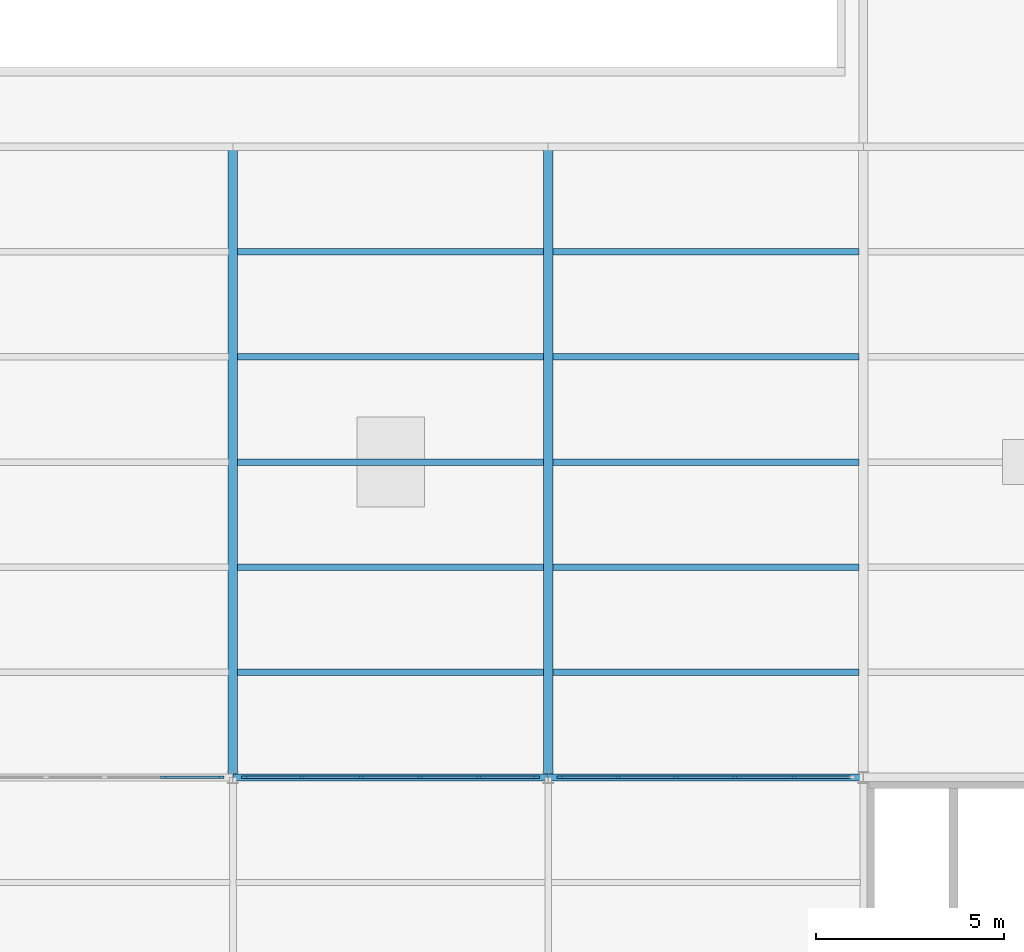
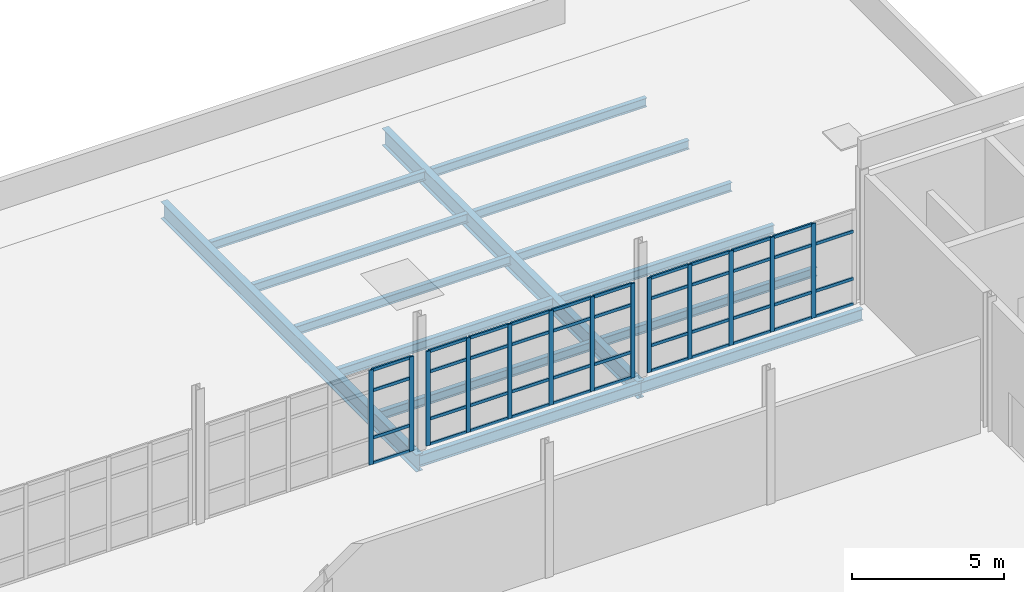
# One storey, part 21 of 33: 56 members, 14 beams, 3 elements without a shape of their own.
"""IFC4 building model written with IfcOpenShell, lengths in metres."""

from ifc_helpers import new_model, si_unit, direction, frame, origin, origin_2d, place, context, subcontext, project, spatial, rectangle, i_section, extrude, material, layer, layer_set, material_profile, profile_set, type_object, element, aggregate, save


model = new_model("IFC4")

# Units and contexts
model_context = context("Model", 3, precision=1e-05, world=origin(), true_north=direction((0.0, 1.0)))
body_context = subcontext(model_context, "Body", "Model", "MODEL_VIEW")
ifc_project = project(units=[si_unit("LENGTHUNIT", "METRE"), si_unit("AREAUNIT", "SQUARE_METRE"), si_unit("VOLUMEUNIT", "CUBIC_METRE"), si_unit("PLANEANGLEUNIT", "RADIAN"), si_unit("MASSUNIT", "GRAM", prefix="KILO"), si_unit("THERMODYNAMICTEMPERATUREUNIT", "KELVIN"), si_unit("POWERUNIT", "WATT")], contexts=[model_context])

# Site, building, storey
site_placement = place(None, origin())
site = spatial("IfcSite", under=ifc_project, at=site_placement, CompositionType="ELEMENT")
building_placement = place(site_placement, origin())
building = spatial("IfcBuilding", under=site, at=building_placement, Name="Tembeka Court Mobility Hub", CompositionType="ELEMENT")
storey_placement = place(building_placement, frame((0.0, 0.0, 23.39990234375)))
storey = spatial("IfcBuildingStorey", under=building, at=storey_placement, Name="L06", CompositionType="ELEMENT", Elevation=23.39990234375)

# Beams
ifc_material_1 = material(Name="Steel S355", Category="steel")
ifc_material_profile_1 = material_profile(ifc_material_1, i_section(OverallWidth=0.18994140625, OverallDepth=0.45703125, WebThickness=0.009033203125, FlangeThickness=0.014404296875, FilletRadius=0.01025390625, at=origin_2d()), Name="UKB 457x191x74")
ifc_profile_set_1 = profile_set([ifc_material_profile_1], Name="Steel S355")
beam_type_1 = type_object("IfcBeamType", Name="BM-B01", PredefinedType="BEAM", material=ifc_profile_set_1)
beam_1_placement = place(storey_placement, frame((67.199951171875, 80.39990234375, -0.478515625), z_axis=(1.0, 0.0, 0.0), x_axis=(0.0, 1.0, 0.0)))
element("IfcBeam", 1, at=beam_1_placement, inside=storey, type_object=beam_type_1, Name="Beam B01 (BM-L06-X3170)", PredefinedType="BEAM", context=body_context, shape_type="SweptSolid", body=[
    extrude(i_section(OverallWidth=0.18994140625, OverallDepth=0.45703125, WebThickness=0.009033203125, FlangeThickness=0.014404296875, FilletRadius=0.01025390625, at=origin_2d()), origin(), (0.0, 0.0, 1.0), 8.400146484375),
])
beam_2_placement = place(storey_placement, frame((75.60009765625, 80.39990234375, -0.478515625), z_axis=(1.0, 0.0, 0.0), x_axis=(0.0, 1.0, 0.0)))
element("IfcBeam", 2, at=beam_2_placement, inside=storey, type_object=beam_type_1, Name="Beam B01 (BM-L06-X3171)", PredefinedType="BEAM", context=body_context, shape_type="SweptSolid", body=[
    extrude(i_section(OverallWidth=0.18994140625, OverallDepth=0.45703125, WebThickness=0.009033203125, FlangeThickness=0.014404296875, FilletRadius=0.01025390625, at=origin_2d()), origin(), (0.0, 0.0, 1.0), 8.39990234375),
])
ifc_material_profile_2 = material_profile(ifc_material_1, i_section(OverallWidth=0.25390625, OverallDepth=0.68408203125, WebThickness=0.012451171875, FlangeThickness=0.01904296875, FilletRadius=0.01513671875, at=origin_2d()), Name="UKB 686x254x140")
ifc_profile_set_2 = profile_set([ifc_material_profile_2], Name="Steel S355")
beam_type_2 = type_object("IfcBeamType", Name="BM-G01", PredefinedType="USERDEFINED", material=ifc_profile_set_2)
for number, where, z_axis, x_axis, name in (
    (3, (67.199951171875, 80.39990234375, -0.591796875), (0.0, 1.0, 0.0), (-1.0, 0.0, 0.0), "Beam G01 (BM-L06-Y3267)"),
    (4, (75.60009765625, 80.39990234375, -0.591796875), (0.0, 1.0, 0.0), (-1.0, 0.0, 0.0), "Beam G01 (BM-L06-Y3274)"),
):
    element("IfcBeam", number, at=place(storey_placement, frame(where, z_axis=z_axis, x_axis=x_axis)), inside=storey, type_object=beam_type_2, Name=name, ObjectType="GIRDER", PredefinedType="USERDEFINED", context=body_context, shape_type="SweptSolid", body=[
        extrude(i_section(OverallWidth=0.25390625, OverallDepth=0.68408203125, WebThickness=0.012451171875, FlangeThickness=0.01904296875, FilletRadius=0.01513671875, at=origin_2d()), origin(), (0.0, 0.0, 1.0), 16.800048828125),
    ])
ifc_material_profile_3 = material_profile(ifc_material_1, i_section(OverallWidth=0.172119140625, OverallDepth=0.35498046875, WebThickness=0.00732421875, FlangeThickness=0.011474609375, FilletRadius=0.01025390625, at=origin_2d()), Name="UKB 356x171x51")
ifc_profile_set_3 = profile_set([ifc_material_profile_3], Name="Steel S355")
beam_type_3 = type_object("IfcBeamType", Name="BM-J01", PredefinedType="JOIST", material=ifc_profile_set_3)
for number, where, z_axis, x_axis, name in (
    (5, (67.322021484375, 83.199951171875, -0.407470703125), (1.0, 0.0, 0.0), (0.0, 1.0, 0.0), "Beam J01 (JST-L06-3456)"),
    (6, (67.322021484375, 86.0, -0.407470703125), (1.0, 0.0, 0.0), (0.0, 1.0, 0.0), "Beam J01 (JST-L06-3457)"),
    (7, (67.322021484375, 88.800048828125, -0.407470703125), (1.0, 0.0, 0.0), (0.0, 1.0, 0.0), "Beam J01 (JST-L06-3458)"),
    (8, (67.322021484375, 91.60009765625, -0.407470703125), (1.0, 0.0, 0.0), (0.0, 1.0, 0.0), "Beam J01 (JST-L06-3459)"),
    (9, (67.322021484375, 94.39990234375, -0.407470703125), (1.0, 0.0, 0.0), (0.0, 1.0, 0.0), "Beam J01 (JST-L06-3460)"),
    (10, (75.721923828125, 83.199951171875, -0.407470703125), (1.0, 0.0, 0.0), (0.0, 1.0, 0.0), "Beam J01 (JST-L06-3476)"),
    (11, (75.721923828125, 86.0, -0.407470703125), (1.0, 0.0, 0.0), (0.0, 1.0, 0.0), "Beam J01 (JST-L06-3477)"),
    (12, (75.721923828125, 88.800048828125, -0.407470703125), (1.0, 0.0, 0.0), (0.0, 1.0, 0.0), "Beam J01 (JST-L06-3478)"),
    (13, (75.721923828125, 91.60009765625, -0.407470703125), (1.0, 0.0, 0.0), (0.0, 1.0, 0.0), "Beam J01 (JST-L06-3479)"),
    (14, (75.721923828125, 94.39990234375, -0.407470703125), (1.0, 0.0, 0.0), (0.0, 1.0, 0.0), "Beam J01 (JST-L06-3480)"),
):
    element("IfcBeam", number, at=place(storey_placement, frame(where, z_axis=z_axis, x_axis=x_axis)), inside=storey, type_object=beam_type_3, Name=name, PredefinedType="JOIST", context=body_context, shape_type="SweptSolid", body=[
        extrude(i_section(OverallWidth=0.172119140625, OverallDepth=0.35498046875, WebThickness=0.00732421875, FlangeThickness=0.011474609375, FilletRadius=0.01025390625, at=origin_2d()), origin(), (0.0, 0.0, 1.0), 8.156005859375),
    ])

# Curtain wall, members
ifc_material_2 = material(Name="Anodised aluminium 6063-T6", Category="aluminium")
ifc_layer = layer(ifc_material_2, 0.159912109375)
ifc_layer_set = layer_set([ifc_layer], Name="Anodised aluminium 6063-T6")
curtain_wall_type = type_object("IfcCurtainWallType", Name="CW-SYS57", PredefinedType="USERDEFINED", material=ifc_layer_set)
curtain_wall_1_placement = place(storey_placement, origin())
curtain_wall_1 = element("IfcCurtainWall", 15, at=curtain_wall_1_placement, inside=storey, type_object=curtain_wall_type, Name="Unitised curtain wall CW57 (CW-L06-159)", ObjectType="UNITISED GLAZING", PredefinedType="USERDEFINED")
ifc_material_profile_4 = material_profile(ifc_material_2, rectangle(XDim=0.06494140625, YDim=0.159912109375, at=origin_2d()), Name="ALU-MUL 65x160")
ifc_profile_set_4 = profile_set([ifc_material_profile_4], Name="Anodised aluminium 6063-T6")
member_type_1 = type_object("IfcMemberType", Name="CW-MUL01", PredefinedType="MULLION", material=ifc_profile_set_4)
member_1_placement = place(storey_placement, frame((65.35205078125, 80.39990234375, 0.0), z_axis=(0.0, 0.0, 1.0), x_axis=(0.0, 1.0, 0.0)))
member_1 = element("IfcMember", 16, at=member_1_placement, type_object=member_type_1, Name="CW57 mullion 5", PredefinedType="MULLION", context=body_context, shape_type="SweptSolid", body=[
    extrude(rectangle(XDim=0.06494140625, YDim=0.159912109375, at=origin_2d()), origin(), (0.0, 0.0, 1.0), 3.795166015625),
])
member_2_placement = place(storey_placement, frame((66.887451171875, 80.39990234375, 0.0), z_axis=(0.0, 0.0, 1.0), x_axis=(0.0, 1.0, 0.0)))
member_2 = element("IfcMember", 17, at=member_2_placement, type_object=member_type_1, Name="CW57 mullion 6", PredefinedType="MULLION", context=body_context, shape_type="SweptSolid", body=[
    extrude(rectangle(XDim=0.06494140625, YDim=0.159912109375, at=origin_2d()), origin(), (0.0, 0.0, 1.0), 3.795166015625),
])

curtain_wall_2_placement = place(storey_placement, origin())
curtain_wall_2 = element("IfcCurtainWall", 18, at=curtain_wall_2_placement, inside=storey, type_object=curtain_wall_type, Name="Unitised curtain wall CW57 (CW-L06-161)", ObjectType="UNITISED GLAZING", PredefinedType="USERDEFINED")
member_3_placement = place(storey_placement, frame((67.512451171875, 80.39990234375, 0.0), z_axis=(0.0, 0.0, 1.0), x_axis=(0.0, 1.0, 0.0)))
member_3 = element("IfcMember", 19, at=member_3_placement, type_object=member_type_1, Name="CW57 mullion 1", PredefinedType="MULLION", context=body_context, shape_type="SweptSolid", body=[
    extrude(rectangle(XDim=0.06494140625, YDim=0.159912109375, at=origin_2d()), origin(), (0.0, 0.0, 1.0), 3.795166015625),
])
member_4_placement = place(storey_placement, frame((69.048095703125, 80.39990234375, 0.0), z_axis=(0.0, 0.0, 1.0), x_axis=(0.0, 1.0, 0.0)))
member_4 = element("IfcMember", 20, at=member_4_placement, type_object=member_type_1, Name="CW57 mullion 2", PredefinedType="MULLION", context=body_context, shape_type="SweptSolid", body=[
    extrude(rectangle(XDim=0.06494140625, YDim=0.159912109375, at=origin_2d()), origin(), (0.0, 0.0, 1.0), 3.795166015625),
])
member_5_placement = place(storey_placement, frame((70.615966796875, 80.39990234375, 0.0), z_axis=(0.0, 0.0, 1.0), x_axis=(0.0, 1.0, 0.0)))
member_5 = element("IfcMember", 21, at=member_5_placement, type_object=member_type_1, Name="CW57 mullion 3", PredefinedType="MULLION", context=body_context, shape_type="SweptSolid", body=[
    extrude(rectangle(XDim=0.06494140625, YDim=0.159912109375, at=origin_2d()), origin(), (0.0, 0.0, 1.0), 3.795166015625),
])
member_6_placement = place(storey_placement, frame((72.18408203125, 80.39990234375, 0.0), z_axis=(0.0, 0.0, 1.0), x_axis=(0.0, 1.0, 0.0)))
member_6 = element("IfcMember", 22, at=member_6_placement, type_object=member_type_1, Name="CW57 mullion 4", PredefinedType="MULLION", context=body_context, shape_type="SweptSolid", body=[
    extrude(rectangle(XDim=0.06494140625, YDim=0.159912109375, at=origin_2d()), origin(), (0.0, 0.0, 1.0), 3.795166015625),
])
member_7_placement = place(storey_placement, frame((73.751953125, 80.39990234375, 0.0), z_axis=(0.0, 0.0, 1.0), x_axis=(0.0, 1.0, 0.0)))
member_7 = element("IfcMember", 23, at=member_7_placement, type_object=member_type_1, Name="CW57 mullion 5", PredefinedType="MULLION", context=body_context, shape_type="SweptSolid", body=[
    extrude(rectangle(XDim=0.06494140625, YDim=0.159912109375, at=origin_2d()), origin(), (0.0, 0.0, 1.0), 3.795166015625),
])
member_8_placement = place(storey_placement, frame((75.28759765625, 80.39990234375, 0.0), z_axis=(0.0, 0.0, 1.0), x_axis=(0.0, 1.0, 0.0)))
member_8 = element("IfcMember", 24, at=member_8_placement, type_object=member_type_1, Name="CW57 mullion 6", PredefinedType="MULLION", context=body_context, shape_type="SweptSolid", body=[
    extrude(rectangle(XDim=0.06494140625, YDim=0.159912109375, at=origin_2d()), origin(), (0.0, 0.0, 1.0), 3.795166015625),
])

curtain_wall_3_placement = place(storey_placement, origin())
curtain_wall_3 = element("IfcCurtainWall", 25, at=curtain_wall_3_placement, inside=storey, type_object=curtain_wall_type, Name="Unitised curtain wall CW57 (CW-L06-163)", ObjectType="UNITISED GLAZING", PredefinedType="USERDEFINED")
member_9_placement = place(storey_placement, frame((75.91259765625, 80.39990234375, 0.0), z_axis=(0.0, 0.0, 1.0), x_axis=(0.0, 1.0, 0.0)))
member_9 = element("IfcMember", 26, at=member_9_placement, type_object=member_type_1, Name="CW57 mullion 1", PredefinedType="MULLION", context=body_context, shape_type="SweptSolid", body=[
    extrude(rectangle(XDim=0.06494140625, YDim=0.159912109375, at=origin_2d()), origin(), (0.0, 0.0, 1.0), 3.795166015625),
])
member_10_placement = place(storey_placement, frame((77.447998046875, 80.39990234375, 0.0), z_axis=(0.0, 0.0, 1.0), x_axis=(0.0, 1.0, 0.0)))
member_10 = element("IfcMember", 27, at=member_10_placement, type_object=member_type_1, Name="CW57 mullion 2", PredefinedType="MULLION", context=body_context, shape_type="SweptSolid", body=[
    extrude(rectangle(XDim=0.06494140625, YDim=0.159912109375, at=origin_2d()), origin(), (0.0, 0.0, 1.0), 3.795166015625),
])
member_11_placement = place(storey_placement, frame((79.01611328125, 80.39990234375, 0.0), z_axis=(0.0, 0.0, 1.0), x_axis=(0.0, 1.0, 0.0)))
member_11 = element("IfcMember", 28, at=member_11_placement, type_object=member_type_1, Name="CW57 mullion 3", PredefinedType="MULLION", context=body_context, shape_type="SweptSolid", body=[
    extrude(rectangle(XDim=0.06494140625, YDim=0.159912109375, at=origin_2d()), origin(), (0.0, 0.0, 1.0), 3.795166015625),
])
member_12_placement = place(storey_placement, frame((80.583984375, 80.39990234375, 0.0), z_axis=(0.0, 0.0, 1.0), x_axis=(0.0, 1.0, 0.0)))
member_12 = element("IfcMember", 29, at=member_12_placement, type_object=member_type_1, Name="CW57 mullion 4", PredefinedType="MULLION", context=body_context, shape_type="SweptSolid", body=[
    extrude(rectangle(XDim=0.06494140625, YDim=0.159912109375, at=origin_2d()), origin(), (0.0, 0.0, 1.0), 3.795166015625),
])
member_13_placement = place(storey_placement, frame((82.152099609375, 80.39990234375, 0.0), z_axis=(0.0, 0.0, 1.0), x_axis=(0.0, 1.0, 0.0)))
member_13 = element("IfcMember", 30, at=member_13_placement, type_object=member_type_1, Name="CW57 mullion 5", PredefinedType="MULLION", context=body_context, shape_type="SweptSolid", body=[
    extrude(rectangle(XDim=0.06494140625, YDim=0.159912109375, at=origin_2d()), origin(), (0.0, 0.0, 1.0), 3.795166015625),
])

# Member
ifc_material_profile_5 = material_profile(ifc_material_2, rectangle(XDim=0.06494140625, YDim=0.1201171875, at=origin_2d()), Name="ALU-TRN 65x120")
ifc_profile_set_5 = profile_set([ifc_material_profile_5], Name="Anodised aluminium 6063-T6")
member_type_2 = type_object("IfcMemberType", Name="CW-TRN01", PredefinedType="USERDEFINED", material=ifc_profile_set_5)
member_14_placement = place(storey_placement, frame((65.384521484375, 80.39990234375, 0.03271484375), z_axis=(1.0, 0.0, 0.0), x_axis=(0.0, 1.0, 0.0)))
member_14 = element("IfcMember", 31, at=member_14_placement, type_object=member_type_2, Name="CW57 transom 5.1", ObjectType="TRANSOM", PredefinedType="USERDEFINED", context=body_context, shape_type="SweptSolid", body=[
    extrude(rectangle(XDim=0.06494140625, YDim=0.1201171875, at=origin_2d()), origin(), (0.0, 0.0, 1.0), 1.470458984375),
])

member_15_placement = place(storey_placement, frame((65.384521484375, 80.39990234375, 1.050048828125), z_axis=(1.0, 0.0, 0.0), x_axis=(0.0, 1.0, 0.0)))
member_15 = element("IfcMember", 32, at=member_15_placement, type_object=member_type_2, Name="CW57 transom 5.2", ObjectType="TRANSOM", PredefinedType="USERDEFINED", context=body_context, shape_type="SweptSolid", body=[
    extrude(rectangle(XDim=0.06494140625, YDim=0.1201171875, at=origin_2d()), origin(), (0.0, 0.0, 1.0), 1.470458984375),
])

member_16_placement = place(storey_placement, frame((65.384521484375, 80.39990234375, 2.945068359375), z_axis=(1.0, 0.0, 0.0), x_axis=(0.0, 1.0, 0.0)))
member_16 = element("IfcMember", 33, at=member_16_placement, type_object=member_type_2, Name="CW57 transom 5.3", ObjectType="TRANSOM", PredefinedType="USERDEFINED", context=body_context, shape_type="SweptSolid", body=[
    extrude(rectangle(XDim=0.06494140625, YDim=0.1201171875, at=origin_2d()), origin(), (0.0, 0.0, 1.0), 1.470458984375),
])

member_17_placement = place(storey_placement, frame((65.384521484375, 80.39990234375, 3.7626953125), z_axis=(1.0, 0.0, 0.0), x_axis=(0.0, 1.0, 0.0)))
member_17 = element("IfcMember", 34, at=member_17_placement, type_object=member_type_2, Name="CW57 transom 5.4", ObjectType="TRANSOM", PredefinedType="USERDEFINED", context=body_context, shape_type="SweptSolid", body=[
    extrude(rectangle(XDim=0.06494140625, YDim=0.1201171875, at=origin_2d()), origin(), (0.0, 0.0, 1.0), 1.470458984375),
])

aggregate(curtain_wall_1, [member_1, member_2, member_14, member_15, member_16, member_17])

member_18_placement = place(storey_placement, frame((67.544921875, 80.39990234375, 0.03271484375), z_axis=(1.0, 0.0, 0.0), x_axis=(0.0, 1.0, 0.0)))
member_18 = element("IfcMember", 35, at=member_18_placement, type_object=member_type_2, Name="CW57 transom 1.1", ObjectType="TRANSOM", PredefinedType="USERDEFINED", context=body_context, shape_type="SweptSolid", body=[
    extrude(rectangle(XDim=0.06494140625, YDim=0.1201171875, at=origin_2d()), origin(), (0.0, 0.0, 1.0), 1.470458984375),
])

member_19_placement = place(storey_placement, frame((67.544921875, 80.39990234375, 1.050048828125), z_axis=(1.0, 0.0, 0.0), x_axis=(0.0, 1.0, 0.0)))
member_19 = element("IfcMember", 36, at=member_19_placement, type_object=member_type_2, Name="CW57 transom 1.2", ObjectType="TRANSOM", PredefinedType="USERDEFINED", context=body_context, shape_type="SweptSolid", body=[
    extrude(rectangle(XDim=0.06494140625, YDim=0.1201171875, at=origin_2d()), origin(), (0.0, 0.0, 1.0), 1.470458984375),
])

member_20_placement = place(storey_placement, frame((67.544921875, 80.39990234375, 2.945068359375), z_axis=(1.0, 0.0, 0.0), x_axis=(0.0, 1.0, 0.0)))
member_20 = element("IfcMember", 37, at=member_20_placement, type_object=member_type_2, Name="CW57 transom 1.3", ObjectType="TRANSOM", PredefinedType="USERDEFINED", context=body_context, shape_type="SweptSolid", body=[
    extrude(rectangle(XDim=0.06494140625, YDim=0.1201171875, at=origin_2d()), origin(), (0.0, 0.0, 1.0), 1.470458984375),
])

member_21_placement = place(storey_placement, frame((67.544921875, 80.39990234375, 3.7626953125), z_axis=(1.0, 0.0, 0.0), x_axis=(0.0, 1.0, 0.0)))
member_21 = element("IfcMember", 38, at=member_21_placement, type_object=member_type_2, Name="CW57 transom 1.4", ObjectType="TRANSOM", PredefinedType="USERDEFINED", context=body_context, shape_type="SweptSolid", body=[
    extrude(rectangle(XDim=0.06494140625, YDim=0.1201171875, at=origin_2d()), origin(), (0.0, 0.0, 1.0), 1.470458984375),
])

member_22_placement = place(storey_placement, frame((69.08056640625, 80.39990234375, 0.03271484375), z_axis=(1.0, 0.0, 0.0), x_axis=(0.0, 1.0, 0.0)))
member_22 = element("IfcMember", 39, at=member_22_placement, type_object=member_type_2, Name="CW57 transom 2.1", ObjectType="TRANSOM", PredefinedType="USERDEFINED", context=body_context, shape_type="SweptSolid", body=[
    extrude(rectangle(XDim=0.06494140625, YDim=0.1201171875, at=origin_2d()), origin(), (0.0, 0.0, 1.0), 1.5029296875),
])

member_23_placement = place(storey_placement, frame((69.08056640625, 80.39990234375, 1.050048828125), z_axis=(1.0, 0.0, 0.0), x_axis=(0.0, 1.0, 0.0)))
member_23 = element("IfcMember", 40, at=member_23_placement, type_object=member_type_2, Name="CW57 transom 2.2", ObjectType="TRANSOM", PredefinedType="USERDEFINED", context=body_context, shape_type="SweptSolid", body=[
    extrude(rectangle(XDim=0.06494140625, YDim=0.1201171875, at=origin_2d()), origin(), (0.0, 0.0, 1.0), 1.5029296875),
])

member_24_placement = place(storey_placement, frame((69.08056640625, 80.39990234375, 2.945068359375), z_axis=(1.0, 0.0, 0.0), x_axis=(0.0, 1.0, 0.0)))
member_24 = element("IfcMember", 41, at=member_24_placement, type_object=member_type_2, Name="CW57 transom 2.3", ObjectType="TRANSOM", PredefinedType="USERDEFINED", context=body_context, shape_type="SweptSolid", body=[
    extrude(rectangle(XDim=0.06494140625, YDim=0.1201171875, at=origin_2d()), origin(), (0.0, 0.0, 1.0), 1.5029296875),
])

member_25_placement = place(storey_placement, frame((69.08056640625, 80.39990234375, 3.7626953125), z_axis=(1.0, 0.0, 0.0), x_axis=(0.0, 1.0, 0.0)))
member_25 = element("IfcMember", 42, at=member_25_placement, type_object=member_type_2, Name="CW57 transom 2.4", ObjectType="TRANSOM", PredefinedType="USERDEFINED", context=body_context, shape_type="SweptSolid", body=[
    extrude(rectangle(XDim=0.06494140625, YDim=0.1201171875, at=origin_2d()), origin(), (0.0, 0.0, 1.0), 1.5029296875),
])

member_26_placement = place(storey_placement, frame((70.6484375, 80.39990234375, 0.03271484375), z_axis=(1.0, 0.0, 0.0), x_axis=(0.0, 1.0, 0.0)))
member_26 = element("IfcMember", 43, at=member_26_placement, type_object=member_type_2, Name="CW57 transom 3.1", ObjectType="TRANSOM", PredefinedType="USERDEFINED", context=body_context, shape_type="SweptSolid", body=[
    extrude(rectangle(XDim=0.06494140625, YDim=0.1201171875, at=origin_2d()), origin(), (0.0, 0.0, 1.0), 1.503173828125),
])

member_27_placement = place(storey_placement, frame((70.6484375, 80.39990234375, 1.050048828125), z_axis=(1.0, 0.0, 0.0), x_axis=(0.0, 1.0, 0.0)))
member_27 = element("IfcMember", 44, at=member_27_placement, type_object=member_type_2, Name="CW57 transom 3.2", ObjectType="TRANSOM", PredefinedType="USERDEFINED", context=body_context, shape_type="SweptSolid", body=[
    extrude(rectangle(XDim=0.06494140625, YDim=0.1201171875, at=origin_2d()), origin(), (0.0, 0.0, 1.0), 1.503173828125),
])

member_28_placement = place(storey_placement, frame((70.6484375, 80.39990234375, 2.945068359375), z_axis=(1.0, 0.0, 0.0), x_axis=(0.0, 1.0, 0.0)))
member_28 = element("IfcMember", 45, at=member_28_placement, type_object=member_type_2, Name="CW57 transom 3.3", ObjectType="TRANSOM", PredefinedType="USERDEFINED", context=body_context, shape_type="SweptSolid", body=[
    extrude(rectangle(XDim=0.06494140625, YDim=0.1201171875, at=origin_2d()), origin(), (0.0, 0.0, 1.0), 1.503173828125),
])

member_29_placement = place(storey_placement, frame((70.6484375, 80.39990234375, 3.7626953125), z_axis=(1.0, 0.0, 0.0), x_axis=(0.0, 1.0, 0.0)))
member_29 = element("IfcMember", 46, at=member_29_placement, type_object=member_type_2, Name="CW57 transom 3.4", ObjectType="TRANSOM", PredefinedType="USERDEFINED", context=body_context, shape_type="SweptSolid", body=[
    extrude(rectangle(XDim=0.06494140625, YDim=0.1201171875, at=origin_2d()), origin(), (0.0, 0.0, 1.0), 1.503173828125),
])

member_30_placement = place(storey_placement, frame((72.216552734375, 80.39990234375, 0.03271484375), z_axis=(1.0, 0.0, 0.0), x_axis=(0.0, 1.0, 0.0)))
member_30 = element("IfcMember", 47, at=member_30_placement, type_object=member_type_2, Name="CW57 transom 4.1", ObjectType="TRANSOM", PredefinedType="USERDEFINED", context=body_context, shape_type="SweptSolid", body=[
    extrude(rectangle(XDim=0.06494140625, YDim=0.1201171875, at=origin_2d()), origin(), (0.0, 0.0, 1.0), 1.5029296875),
])

member_31_placement = place(storey_placement, frame((72.216552734375, 80.39990234375, 1.050048828125), z_axis=(1.0, 0.0, 0.0), x_axis=(0.0, 1.0, 0.0)))
member_31 = element("IfcMember", 48, at=member_31_placement, type_object=member_type_2, Name="CW57 transom 4.2", ObjectType="TRANSOM", PredefinedType="USERDEFINED", context=body_context, shape_type="SweptSolid", body=[
    extrude(rectangle(XDim=0.06494140625, YDim=0.1201171875, at=origin_2d()), origin(), (0.0, 0.0, 1.0), 1.5029296875),
])

member_32_placement = place(storey_placement, frame((72.216552734375, 80.39990234375, 2.945068359375), z_axis=(1.0, 0.0, 0.0), x_axis=(0.0, 1.0, 0.0)))
member_32 = element("IfcMember", 49, at=member_32_placement, type_object=member_type_2, Name="CW57 transom 4.3", ObjectType="TRANSOM", PredefinedType="USERDEFINED", context=body_context, shape_type="SweptSolid", body=[
    extrude(rectangle(XDim=0.06494140625, YDim=0.1201171875, at=origin_2d()), origin(), (0.0, 0.0, 1.0), 1.5029296875),
])

member_33_placement = place(storey_placement, frame((72.216552734375, 80.39990234375, 3.7626953125), z_axis=(1.0, 0.0, 0.0), x_axis=(0.0, 1.0, 0.0)))
member_33 = element("IfcMember", 50, at=member_33_placement, type_object=member_type_2, Name="CW57 transom 4.4", ObjectType="TRANSOM", PredefinedType="USERDEFINED", context=body_context, shape_type="SweptSolid", body=[
    extrude(rectangle(XDim=0.06494140625, YDim=0.1201171875, at=origin_2d()), origin(), (0.0, 0.0, 1.0), 1.5029296875),
])

member_34_placement = place(storey_placement, frame((73.784423828125, 80.39990234375, 0.03271484375), z_axis=(1.0, 0.0, 0.0), x_axis=(0.0, 1.0, 0.0)))
member_34 = element("IfcMember", 51, at=member_34_placement, type_object=member_type_2, Name="CW57 transom 5.1", ObjectType="TRANSOM", PredefinedType="USERDEFINED", context=body_context, shape_type="SweptSolid", body=[
    extrude(rectangle(XDim=0.06494140625, YDim=0.1201171875, at=origin_2d()), origin(), (0.0, 0.0, 1.0), 1.470458984375),
])

member_35_placement = place(storey_placement, frame((73.784423828125, 80.39990234375, 1.050048828125), z_axis=(1.0, 0.0, 0.0), x_axis=(0.0, 1.0, 0.0)))
member_35 = element("IfcMember", 52, at=member_35_placement, type_object=member_type_2, Name="CW57 transom 5.2", ObjectType="TRANSOM", PredefinedType="USERDEFINED", context=body_context, shape_type="SweptSolid", body=[
    extrude(rectangle(XDim=0.06494140625, YDim=0.1201171875, at=origin_2d()), origin(), (0.0, 0.0, 1.0), 1.470458984375),
])

member_36_placement = place(storey_placement, frame((73.784423828125, 80.39990234375, 2.945068359375), z_axis=(1.0, 0.0, 0.0), x_axis=(0.0, 1.0, 0.0)))
member_36 = element("IfcMember", 53, at=member_36_placement, type_object=member_type_2, Name="CW57 transom 5.3", ObjectType="TRANSOM", PredefinedType="USERDEFINED", context=body_context, shape_type="SweptSolid", body=[
    extrude(rectangle(XDim=0.06494140625, YDim=0.1201171875, at=origin_2d()), origin(), (0.0, 0.0, 1.0), 1.470458984375),
])

member_37_placement = place(storey_placement, frame((73.784423828125, 80.39990234375, 3.7626953125), z_axis=(1.0, 0.0, 0.0), x_axis=(0.0, 1.0, 0.0)))
member_37 = element("IfcMember", 54, at=member_37_placement, type_object=member_type_2, Name="CW57 transom 5.4", ObjectType="TRANSOM", PredefinedType="USERDEFINED", context=body_context, shape_type="SweptSolid", body=[
    extrude(rectangle(XDim=0.06494140625, YDim=0.1201171875, at=origin_2d()), origin(), (0.0, 0.0, 1.0), 1.470458984375),
])

aggregate(curtain_wall_2, [member_3, member_4, member_5, member_6, member_7, member_8, member_18, member_19, member_20, member_21, member_22, member_23, member_24, member_25, member_26, member_27, member_28, member_29, member_30, member_31, member_32, member_33, member_34, member_35, member_36, member_37])

member_38_placement = place(storey_placement, frame((75.945068359375, 80.39990234375, 0.03271484375), z_axis=(1.0, 0.0, 0.0), x_axis=(0.0, 1.0, 0.0)))
member_38 = element("IfcMember", 55, at=member_38_placement, type_object=member_type_2, Name="CW57 transom 1.1", ObjectType="TRANSOM", PredefinedType="USERDEFINED", context=body_context, shape_type="SweptSolid", body=[
    extrude(rectangle(XDim=0.06494140625, YDim=0.1201171875, at=origin_2d()), origin(), (0.0, 0.0, 1.0), 1.470458984375),
])

member_39_placement = place(storey_placement, frame((75.945068359375, 80.39990234375, 1.050048828125), z_axis=(1.0, 0.0, 0.0), x_axis=(0.0, 1.0, 0.0)))
member_39 = element("IfcMember", 56, at=member_39_placement, type_object=member_type_2, Name="CW57 transom 1.2", ObjectType="TRANSOM", PredefinedType="USERDEFINED", context=body_context, shape_type="SweptSolid", body=[
    extrude(rectangle(XDim=0.06494140625, YDim=0.1201171875, at=origin_2d()), origin(), (0.0, 0.0, 1.0), 1.470458984375),
])

member_40_placement = place(storey_placement, frame((75.945068359375, 80.39990234375, 2.945068359375), z_axis=(1.0, 0.0, 0.0), x_axis=(0.0, 1.0, 0.0)))
member_40 = element("IfcMember", 57, at=member_40_placement, type_object=member_type_2, Name="CW57 transom 1.3", ObjectType="TRANSOM", PredefinedType="USERDEFINED", context=body_context, shape_type="SweptSolid", body=[
    extrude(rectangle(XDim=0.06494140625, YDim=0.1201171875, at=origin_2d()), origin(), (0.0, 0.0, 1.0), 1.470458984375),
])

member_41_placement = place(storey_placement, frame((75.945068359375, 80.39990234375, 3.7626953125), z_axis=(1.0, 0.0, 0.0), x_axis=(0.0, 1.0, 0.0)))
member_41 = element("IfcMember", 58, at=member_41_placement, type_object=member_type_2, Name="CW57 transom 1.4", ObjectType="TRANSOM", PredefinedType="USERDEFINED", context=body_context, shape_type="SweptSolid", body=[
    extrude(rectangle(XDim=0.06494140625, YDim=0.1201171875, at=origin_2d()), origin(), (0.0, 0.0, 1.0), 1.470458984375),
])

member_42_placement = place(storey_placement, frame((77.48046875, 80.39990234375, 0.03271484375), z_axis=(1.0, 0.0, 0.0), x_axis=(0.0, 1.0, 0.0)))
member_42 = element("IfcMember", 59, at=member_42_placement, type_object=member_type_2, Name="CW57 transom 2.1", ObjectType="TRANSOM", PredefinedType="USERDEFINED", context=body_context, shape_type="SweptSolid", body=[
    extrude(rectangle(XDim=0.06494140625, YDim=0.1201171875, at=origin_2d()), origin(), (0.0, 0.0, 1.0), 1.5029296875),
])

member_43_placement = place(storey_placement, frame((77.48046875, 80.39990234375, 1.050048828125), z_axis=(1.0, 0.0, 0.0), x_axis=(0.0, 1.0, 0.0)))
member_43 = element("IfcMember", 60, at=member_43_placement, type_object=member_type_2, Name="CW57 transom 2.2", ObjectType="TRANSOM", PredefinedType="USERDEFINED", context=body_context, shape_type="SweptSolid", body=[
    extrude(rectangle(XDim=0.06494140625, YDim=0.1201171875, at=origin_2d()), origin(), (0.0, 0.0, 1.0), 1.5029296875),
])

member_44_placement = place(storey_placement, frame((77.48046875, 80.39990234375, 2.945068359375), z_axis=(1.0, 0.0, 0.0), x_axis=(0.0, 1.0, 0.0)))
member_44 = element("IfcMember", 61, at=member_44_placement, type_object=member_type_2, Name="CW57 transom 2.3", ObjectType="TRANSOM", PredefinedType="USERDEFINED", context=body_context, shape_type="SweptSolid", body=[
    extrude(rectangle(XDim=0.06494140625, YDim=0.1201171875, at=origin_2d()), origin(), (0.0, 0.0, 1.0), 1.5029296875),
])

member_45_placement = place(storey_placement, frame((77.48046875, 80.39990234375, 3.7626953125), z_axis=(1.0, 0.0, 0.0), x_axis=(0.0, 1.0, 0.0)))
member_45 = element("IfcMember", 62, at=member_45_placement, type_object=member_type_2, Name="CW57 transom 2.4", ObjectType="TRANSOM", PredefinedType="USERDEFINED", context=body_context, shape_type="SweptSolid", body=[
    extrude(rectangle(XDim=0.06494140625, YDim=0.1201171875, at=origin_2d()), origin(), (0.0, 0.0, 1.0), 1.5029296875),
])

member_46_placement = place(storey_placement, frame((79.048583984375, 80.39990234375, 0.03271484375), z_axis=(1.0, 0.0, 0.0), x_axis=(0.0, 1.0, 0.0)))
member_46 = element("IfcMember", 63, at=member_46_placement, type_object=member_type_2, Name="CW57 transom 3.1", ObjectType="TRANSOM", PredefinedType="USERDEFINED", context=body_context, shape_type="SweptSolid", body=[
    extrude(rectangle(XDim=0.06494140625, YDim=0.1201171875, at=origin_2d()), origin(), (0.0, 0.0, 1.0), 1.5029296875),
])

member_47_placement = place(storey_placement, frame((79.048583984375, 80.39990234375, 1.050048828125), z_axis=(1.0, 0.0, 0.0), x_axis=(0.0, 1.0, 0.0)))
member_47 = element("IfcMember", 64, at=member_47_placement, type_object=member_type_2, Name="CW57 transom 3.2", ObjectType="TRANSOM", PredefinedType="USERDEFINED", context=body_context, shape_type="SweptSolid", body=[
    extrude(rectangle(XDim=0.06494140625, YDim=0.1201171875, at=origin_2d()), origin(), (0.0, 0.0, 1.0), 1.5029296875),
])

member_48_placement = place(storey_placement, frame((79.048583984375, 80.39990234375, 2.945068359375), z_axis=(1.0, 0.0, 0.0), x_axis=(0.0, 1.0, 0.0)))
member_48 = element("IfcMember", 65, at=member_48_placement, type_object=member_type_2, Name="CW57 transom 3.3", ObjectType="TRANSOM", PredefinedType="USERDEFINED", context=body_context, shape_type="SweptSolid", body=[
    extrude(rectangle(XDim=0.06494140625, YDim=0.1201171875, at=origin_2d()), origin(), (0.0, 0.0, 1.0), 1.5029296875),
])

member_49_placement = place(storey_placement, frame((79.048583984375, 80.39990234375, 3.7626953125), z_axis=(1.0, 0.0, 0.0), x_axis=(0.0, 1.0, 0.0)))
member_49 = element("IfcMember", 66, at=member_49_placement, type_object=member_type_2, Name="CW57 transom 3.4", ObjectType="TRANSOM", PredefinedType="USERDEFINED", context=body_context, shape_type="SweptSolid", body=[
    extrude(rectangle(XDim=0.06494140625, YDim=0.1201171875, at=origin_2d()), origin(), (0.0, 0.0, 1.0), 1.5029296875),
])

member_50_placement = place(storey_placement, frame((80.616455078125, 80.39990234375, 0.03271484375), z_axis=(1.0, 0.0, 0.0), x_axis=(0.0, 1.0, 0.0)))
member_50 = element("IfcMember", 67, at=member_50_placement, type_object=member_type_2, Name="CW57 transom 4.1", ObjectType="TRANSOM", PredefinedType="USERDEFINED", context=body_context, shape_type="SweptSolid", body=[
    extrude(rectangle(XDim=0.06494140625, YDim=0.1201171875, at=origin_2d()), origin(), (0.0, 0.0, 1.0), 1.5029296875),
])

member_51_placement = place(storey_placement, frame((80.616455078125, 80.39990234375, 1.050048828125), z_axis=(1.0, 0.0, 0.0), x_axis=(0.0, 1.0, 0.0)))
member_51 = element("IfcMember", 68, at=member_51_placement, type_object=member_type_2, Name="CW57 transom 4.2", ObjectType="TRANSOM", PredefinedType="USERDEFINED", context=body_context, shape_type="SweptSolid", body=[
    extrude(rectangle(XDim=0.06494140625, YDim=0.1201171875, at=origin_2d()), origin(), (0.0, 0.0, 1.0), 1.5029296875),
])

member_52_placement = place(storey_placement, frame((80.616455078125, 80.39990234375, 2.945068359375), z_axis=(1.0, 0.0, 0.0), x_axis=(0.0, 1.0, 0.0)))
member_52 = element("IfcMember", 69, at=member_52_placement, type_object=member_type_2, Name="CW57 transom 4.3", ObjectType="TRANSOM", PredefinedType="USERDEFINED", context=body_context, shape_type="SweptSolid", body=[
    extrude(rectangle(XDim=0.06494140625, YDim=0.1201171875, at=origin_2d()), origin(), (0.0, 0.0, 1.0), 1.5029296875),
])

member_53_placement = place(storey_placement, frame((80.616455078125, 80.39990234375, 3.7626953125), z_axis=(1.0, 0.0, 0.0), x_axis=(0.0, 1.0, 0.0)))
member_53 = element("IfcMember", 70, at=member_53_placement, type_object=member_type_2, Name="CW57 transom 4.4", ObjectType="TRANSOM", PredefinedType="USERDEFINED", context=body_context, shape_type="SweptSolid", body=[
    extrude(rectangle(XDim=0.06494140625, YDim=0.1201171875, at=origin_2d()), origin(), (0.0, 0.0, 1.0), 1.5029296875),
])

member_54_placement = place(storey_placement, frame((82.1845703125, 80.39990234375, 0.03271484375), z_axis=(1.0, 0.0, 0.0), x_axis=(0.0, 1.0, 0.0)))
member_54 = element("IfcMember", 71, at=member_54_placement, type_object=member_type_2, Name="CW57 transom 5.1", ObjectType="TRANSOM", PredefinedType="USERDEFINED", context=body_context, shape_type="SweptSolid", body=[
    extrude(rectangle(XDim=0.06494140625, YDim=0.1201171875, at=origin_2d()), origin(), (0.0, 0.0, 1.0), 1.470458984375),
])

member_55_placement = place(storey_placement, frame((82.1845703125, 80.39990234375, 1.050048828125), z_axis=(1.0, 0.0, 0.0), x_axis=(0.0, 1.0, 0.0)))
member_55 = element("IfcMember", 72, at=member_55_placement, type_object=member_type_2, Name="CW57 transom 5.2", ObjectType="TRANSOM", PredefinedType="USERDEFINED", context=body_context, shape_type="SweptSolid", body=[
    extrude(rectangle(XDim=0.06494140625, YDim=0.1201171875, at=origin_2d()), origin(), (0.0, 0.0, 1.0), 1.470458984375),
])

member_56_placement = place(storey_placement, frame((82.1845703125, 80.39990234375, 2.945068359375), z_axis=(1.0, 0.0, 0.0), x_axis=(0.0, 1.0, 0.0)))
member_56 = element("IfcMember", 73, at=member_56_placement, type_object=member_type_2, Name="CW57 transom 5.3", ObjectType="TRANSOM", PredefinedType="USERDEFINED", context=body_context, shape_type="SweptSolid", body=[
    extrude(rectangle(XDim=0.06494140625, YDim=0.1201171875, at=origin_2d()), origin(), (0.0, 0.0, 1.0), 1.470458984375),
])

aggregate(curtain_wall_3, [member_9, member_10, member_11, member_12, member_13, member_38, member_39, member_40, member_41, member_42, member_43, member_44, member_45, member_46, member_47, member_48, member_49, member_50, member_51, member_52, member_53, member_54, member_55, member_56])

save(model, "model.ifc")
